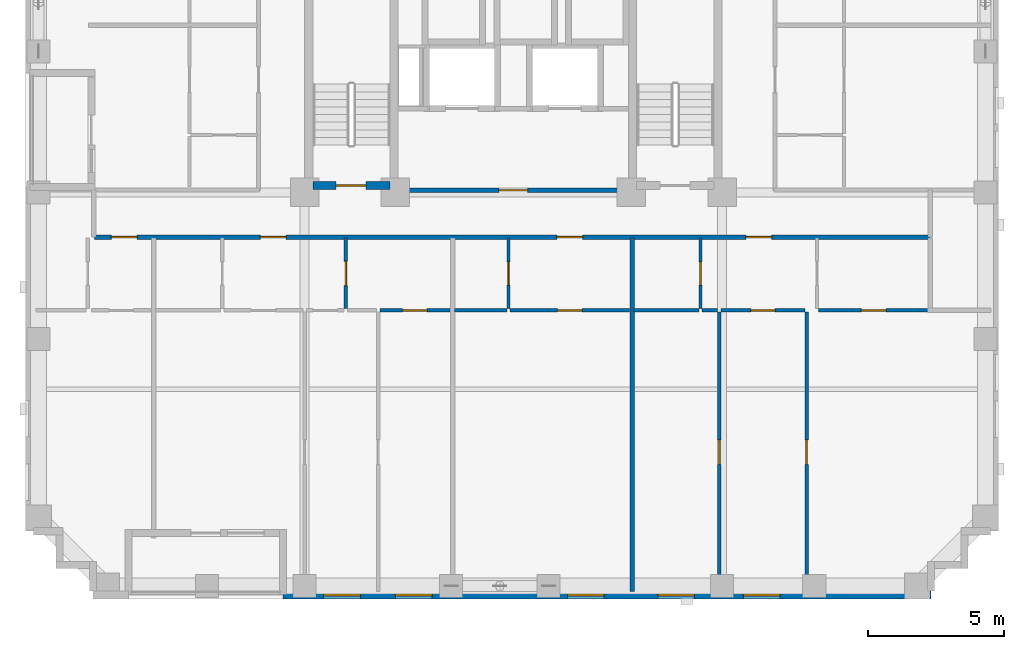
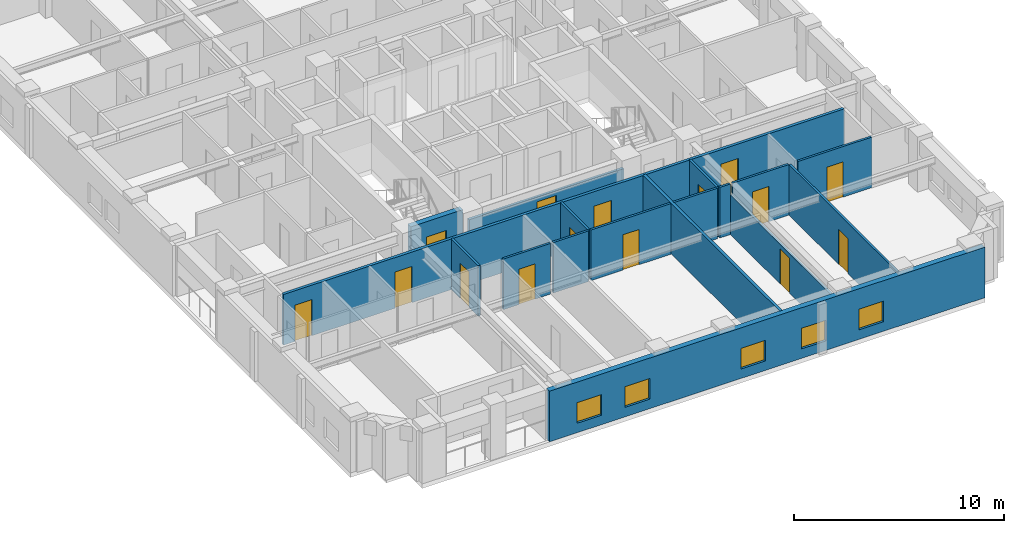
# One storey, part 3 of 12: 17 walls, 15 doors, 5 windows, 20 openings.
"""IFC4 building model written with IfcOpenShell, lengths in metres."""

import ifcopenshell
import ifcopenshell.guid

model = None  # the IFC model being written
_history = None  # IfcOwnerHistory: only IFC2X3 demands one
_inside = {}  # id of a spatial element -> (the spatial element, [elements in it])
_under = {}  # id of a project, library or spatial element -> (it, [spatial elements below it])
_declared = {}  # id of a project -> (the project, [libraries it declares])
_typed = {}  # id of a type object -> (the type object, [elements of that type])
_made_of = {}  # id of a material, layer set ... -> (it, [elements and type objects made of it])


def new_model(schema):
    """Start an empty IFC model of exactly this schema.

    Asked for "IFC4X3", IfcOpenShell would pick the latest addendum, in which some entities
    have other attributes; the version numbers below select the first issue.
    IFC2X3 requires an IfcOwnerHistory on every rooted entity: one is made here for all.
    """
    global model, _history
    if schema == "IFC4X3":
        model = ifcopenshell.file(schema_version=(4, 3, 0, 0))
    else:
        model = ifcopenshell.file(schema=schema)
    _inside.clear()
    _under.clear()
    _declared.clear()
    _typed.clear()
    _made_of.clear()
    _history = None
    if model.schema == "IFC2X3":
        org = make("IfcOrganization", Name="unknown")
        user = make(
            "IfcPersonAndOrganization",
            ThePerson=make("IfcPerson", FamilyName="unknown"),
            TheOrganization=org,
        )
        app = make(
            "IfcApplication",
            ApplicationDeveloper=org,
            Version="unknown",
            ApplicationFullName="unknown",
            ApplicationIdentifier="unknown",
        )
        _history = make(
            "IfcOwnerHistory",
            OwningUser=user,
            OwningApplication=app,
            ChangeAction="ADDED",
            CreationDate=0,
        )
    return model


def make(cls, **values):
    """One entity of the class cls with the attributes given. An attribute that is None is left unset."""
    return model.create_entity(
        cls, **{name: value for name, value in values.items() if value is not None}
    )


def rooted(cls, **values):
    """An entity with a GlobalId (a new one), such as an element, a storey or a relation."""
    return make(cls, GlobalId=ifcopenshell.guid.new(), OwnerHistory=_history, **values)


def si_unit(unit_type, name, prefix=None):
    """IfcSIUnit, for example si_unit("LENGTHUNIT", "METRE", prefix="MILLI")."""
    return make("IfcSIUnit", UnitType=unit_type, Prefix=prefix, Name=name)


def derived_unit(unit_type, elements):
    """IfcDerivedUnit: a product of units, each with its exponent."""
    return make(
        "IfcDerivedUnit",
        Elements=[
            make("IfcDerivedUnitElement", Unit=unit, Exponent=power)
            for unit, power in elements
        ],
        UnitType=unit_type,
    )


def assignment(units):
    """IfcUnitAssignment: the units of a project."""
    return None if units is None else make("IfcUnitAssignment", Units=units)


def point(xyz):
    """IfcCartesianPoint."""
    return None if xyz is None else make("IfcCartesianPoint", Coordinates=xyz)


def direction(xyz):
    """IfcDirection."""
    return None if xyz is None else make("IfcDirection", DirectionRatios=xyz)


def frame(location, z_axis=None, x_axis=None):
    """IfcAxis2Placement3D, a coordinate frame: its origin and axes. An axis left out is left unset."""
    return make(
        "IfcAxis2Placement3D",
        Location=point(location),
        Axis=direction(z_axis),
        RefDirection=direction(x_axis),
    )


def frame_2d(location, x_axis=None):
    """IfcAxis2Placement2D, a coordinate frame in the plane: its origin and x axis."""
    return make(
        "IfcAxis2Placement2D", Location=point(location), RefDirection=direction(x_axis)
    )


def origin():
    """The frame at (0, 0, 0) with its axes left unset."""
    return frame((0.0, 0.0, 0.0))


def place(relative_to, where):
    """IfcLocalPlacement: puts the frame where relative to a parent placement (None: the world)."""
    return make(
        "IfcLocalPlacement", PlacementRelTo=relative_to, RelativePlacement=where
    )


def context(
    kind, dimensions, precision=None, world=None, true_north=None, identifier=None
):
    """IfcGeometricRepresentationContext, for example the 3D "Model" context."""
    return make(
        "IfcGeometricRepresentationContext",
        ContextIdentifier=identifier,
        ContextType=kind,
        CoordinateSpaceDimension=dimensions,
        Precision=precision,
        WorldCoordinateSystem=world,
        TrueNorth=true_north,
    )


def subcontext(parent, identifier, kind, view, scale=None):
    """IfcGeometricRepresentationSubContext, for example "Body" below "Model"."""
    return make(
        "IfcGeometricRepresentationSubContext",
        ContextIdentifier=identifier,
        ContextType=kind,
        ParentContext=parent,
        TargetScale=scale,
        TargetView=view,
    )


def project(units=None, contexts=None):
    """IfcProject with its units and contexts."""
    return rooted(
        "IfcProject",
        Name="project",
        RepresentationContexts=contexts,
        UnitsInContext=assignment(units),
    )


def spatial(cls, under=None, at=None, **own):
    """A site, building, storey or space (cls), placed at a placement, below another one or the project."""
    s = rooted(cls, ObjectPlacement=at, **own)
    if under is not None:
        _under.setdefault(under.id(), (under, []))[1].append(s)
    return s


def profile(cls, at=None, kind="AREA", **sizes):
    """A parametric profile (cls). Its sizes go by their IFC names, for example OverallWidth=200.0."""
    return make(cls, ProfileType=kind, Position=at, **sizes)


def rectangle(**sizes):
    """IfcRectangleProfileDef."""
    return profile("IfcRectangleProfileDef", **sizes)


def extrude(swept, where, along, depth):
    """IfcExtrudedAreaSolid: the profile swept, set in the frame where, extruded along a direction by depth."""
    return make(
        "IfcExtrudedAreaSolid",
        SweptArea=swept,
        Position=where,
        ExtrudedDirection=direction(along),
        Depth=depth,
    )


def shape(context_of_items, identifier, shape_type, items):
    """IfcShapeRepresentation: the items that make up one representation, for example the "Body"."""
    return make(
        "IfcShapeRepresentation",
        ContextOfItems=context_of_items,
        RepresentationIdentifier=identifier,
        RepresentationType=shape_type,
        Items=items,
    )


def material(Name=None, Category=None):
    """IfcMaterial."""
    return make("IfcMaterial", Name=Name, Category=Category)


def layer(
    of_material, thickness, ventilated=None, Name=None, Category=None, Priority=None
):
    """IfcMaterialLayer: one layer of a wall or slab, of a material (None: an air gap)."""
    return make(
        "IfcMaterialLayer",
        Material=of_material,
        LayerThickness=thickness,
        IsVentilated=ventilated,
        Name=Name,
        Category=Category,
        Priority=Priority,
    )


def layer_set(layers, Name=None):
    """IfcMaterialLayerSet."""
    return make("IfcMaterialLayerSet", MaterialLayers=layers, LayerSetName=Name)


def made_of(thing, what):
    """Note that an element or type object is made of a material, layer set ...; save() writes the relation."""
    if what is not None:
        _made_of.setdefault(what.id(), (what, []))[1].append(thing)
    return thing


def type_object(cls, material=None, **own):
    """A type object (cls), such as IfcWallType, which elements share."""
    return made_of(rooted(cls, **own), material)


def element(
    cls,
    number,
    at=None,
    inside=None,
    cuts=None,
    type_object=None,
    material=None,
    context=None,
    identifier="Body",
    shape_type=None,
    held_by="IfcProductDefinitionShape",
    body=None,
    shapes=None,
    **own,
):
    """One element of the class cls, such as IfcWall. Its Tag is "e" and its number.

    at: its placement. inside: the storey or other place that contains it. cuts: it is an
    opening in that element (IfcRelVoidsElement). A single representation is given by context,
    identifier, shape_type and body (its items); several are given by shapes. held_by: the class
    of the entity that holds the representations. save() writes the other relations.
    """
    e = rooted(cls, Tag="e%d" % number, ObjectPlacement=at, **own)
    if body is not None:
        shapes = [shape(context, identifier, shape_type, body)]
    if shapes is not None:
        e.Representation = make(held_by, Representations=shapes)
    if inside is not None:
        _inside.setdefault(inside.id(), (inside, []))[1].append(e)
    if cuts is not None:
        rooted(
            "IfcRelVoidsElement", RelatingBuildingElement=cuts, RelatedOpeningElement=e
        )
    if type_object is not None:
        _typed.setdefault(type_object.id(), (type_object, []))[1].append(e)
    return made_of(e, material)


def fill(opening, filler):
    """IfcRelFillsElement: the door or window that sits in an opening."""
    return rooted(
        "IfcRelFillsElement",
        RelatingOpeningElement=opening,
        RelatedBuildingElement=filler,
    )


def aggregate(whole, parts):
    """IfcRelAggregates: a whole, such as a stair, and the parts it consists of."""
    return rooted("IfcRelAggregates", RelatingObject=whole, RelatedObjects=parts)


def save(model, path):
    """Write the relations noted so far, then the file.

    IfcRelAggregates (storeys below a building ...), IfcRelContainedInSpatialStructure (elements
    in a storey), IfcRelDefinesByType, IfcRelAssociatesMaterial and IfcRelDeclares: one each for
    every whole, place, type object, material and project.
    """
    for whole, parts in _under.values():
        aggregate(whole, parts)
    for where, things in _inside.values():
        rooted(
            "IfcRelContainedInSpatialStructure",
            RelatedElements=things,
            RelatingStructure=where,
        )
    for kind, things in _typed.values():
        rooted("IfcRelDefinesByType", RelatedObjects=things, RelatingType=kind)
    for what, things in _made_of.values():
        rooted("IfcRelAssociatesMaterial", RelatedObjects=things, RelatingMaterial=what)
    for by, libraries in _declared.values():
        rooted("IfcRelDeclares", RelatingContext=by, RelatedDefinitions=libraries)
    model.write(path)


model = new_model("IFC4")

# Units and contexts
model_context = context("Model", 3, precision=1e-05, world=origin(), true_north=direction((0.0, 1.0)))
body_context = subcontext(model_context, "Body", "Model", "MODEL_VIEW")
ifc_project = project(units=[si_unit("LENGTHUNIT", "METRE"), si_unit("AREAUNIT", "SQUARE_METRE"), si_unit("VOLUMEUNIT", "CUBIC_METRE"), si_unit("PLANEANGLEUNIT", "RADIAN"), si_unit("MASSUNIT", "GRAM", prefix="KILO"), derived_unit("THERMALTRANSMITTANCEUNIT", [(si_unit("MASSUNIT", "GRAM", prefix="KILO"), 1), (si_unit("TIMEUNIT", "SECOND"), -3), (si_unit("THERMODYNAMICTEMPERATUREUNIT", "KELVIN"), -1)])], contexts=[model_context])

# Site, building, storey
site_placement = place(None, origin())
site = spatial("IfcSite", under=ifc_project, at=site_placement, CompositionType="ELEMENT")
building_placement = place(site_placement, origin())
building = spatial("IfcBuilding", under=site, at=building_placement, Name="Korrvale Station Residences", CompositionType="ELEMENT")
storey_placement = place(building_placement, frame((0.0, 0.0, 94.300048828125)))
storey = spatial("IfcBuildingStorey", under=building, at=storey_placement, Name="L26", CompositionType="ELEMENT", Elevation=94.300048828125)

# Wall, opening, door
ifc_material_1 = material(Name="Concrete C60/75", Category="concrete")
ifc_layer_1 = layer(ifc_material_1, 0.300048828125, Name="Concrete C60/75")
ifc_layer_set_1 = layer_set([ifc_layer_1], Name="Concrete C60/75")
wall_type_1 = type_object("IfcWallType", Name="WAL-CORE-300-C60", PredefinedType="SHEAR", material=ifc_layer_set_1)
wall_1_placement = place(storey_placement, frame((18.10009765625, 15.25, 0.0), z_axis=(0.0, 0.0, 1.0), x_axis=(1.0, 0.0, 0.0)))
wall_1 = element("IfcWall", 1, at=wall_1_placement, inside=storey, type_object=wall_type_1, Name="L26 ST-1 Core Shear Wall South", PredefinedType="SHEAR", context=body_context, shape_type="SweptSolid", body=[
    extrude(rectangle(XDim=2.849853515625, YDim=0.300048828125, at=frame_2d((1.4248046875, 0.0))), origin(), (0.0, 0.0, 1.0), 2.93994140625),
])
opening_1_placement = place(wall_1_placement, frame((0.860107421875, 0.0, 0.0)))
opening_1 = element("IfcOpeningElement", 2, at=opening_1_placement, cuts=wall_1, Name="Opening SD-1100", PredefinedType="OPENING", context=body_context, shape_type="SweptSolid", body=[
    extrude(rectangle(XDim=1.10009765625, YDim=2.050048828125, at=frame_2d((0.550048828125, 1.02490234375))), frame((0.0, 0.16015625, 0.0), z_axis=(0.0, -1.0, 0.0), x_axis=(1.0, 0.0, 0.0)), (0.0, 0.0, 1.0), 0.320068359375),
])
ifc_material_2 = material(Name="Hollow-metal fire-rated stair door with closer", Category="steel")
door_type_1 = type_object("IfcDoorType", Name="DR-STAIR-1100", OperationType="NOTDEFINED", PredefinedType="DOOR", material=ifc_material_2)
door_1_placement = place(opening_1_placement, origin())
door_1 = element("IfcDoor", 3, at=door_1_placement, inside=storey, type_object=door_type_1, Name="L26 ST-1 Exit Stair Door", OperationType="SINGLE_SWING_LEFT", OverallHeight=2.050048828125, OverallWidth=1.10009765625, PredefinedType="DOOR", context=body_context, shape_type="SweptSolid", body=[
    extrude(rectangle(XDim=1.10009765625, YDim=2.050048828125, at=frame_2d((0.550048828125, 1.02490234375))), frame((0.0, 0.02490234375, 0.0), z_axis=(0.0, -1.0, 0.0), x_axis=(1.0, 0.0, 0.0)), (0.0, 0.0, 1.0), 0.050048828125),
])
fill(opening_1, door_1)

# Wall, openings, windows
ifc_material_3 = material(Name="Precast concrete C45/55", Category="concrete")
ifc_layer_2 = layer(ifc_material_3, 0.300048828125, Name="Precast concrete C45/55")
ifc_layer_set_2 = layer_set([ifc_layer_2], Name="Precast concrete C45/55")
wall_type_2 = type_object("IfcWallType", Name="WAL-EXT-PC300", PredefinedType="SOLIDWALL", material=ifc_layer_set_2)
wall_2_placement = place(storey_placement, frame((40.89990234375, 0.14990234375, 0.0), z_axis=(0.0, 0.0, 1.0), x_axis=(-1.0, 0.0, 0.0)))
wall_2 = element("IfcWall", 4, at=wall_2_placement, inside=storey, type_object=wall_type_2, Name="L26 South Exterior Precast Wall 1", PredefinedType="SOLIDWALL", context=body_context, shape_type="SweptSolid", body=[
    extrude(rectangle(XDim=23.89990234375, YDim=0.300048828125, at=frame_2d((11.949951171875, 0.0))), origin(), (0.0, 0.0, 1.0), 2.93994140625),
])
opening_2_placement = place(wall_2_placement, frame((21.044921875, 0.0, 0.550048828125)))
opening_2 = element("IfcOpeningElement", 5, at=opening_2_placement, cuts=wall_2, Name="Opening W-10", PredefinedType="OPENING", context=body_context, shape_type="SweptSolid", body=[
    extrude(rectangle(XDim=1.35009765625, YDim=1.199951171875, at=frame_2d((0.675048828125, 0.60009765625))), frame((0.0, 0.16015625, 0.0), z_axis=(0.0, -1.0, 0.0), x_axis=(1.0, 0.0, 0.0)), (0.0, 0.0, 1.0), 0.320068359375),
])
opening_3_placement = place(wall_2_placement, frame((18.39990234375, 0.0, 0.550048828125)))
opening_3 = element("IfcOpeningElement", 6, at=opening_3_placement, cuts=wall_2, Name="Opening W-10", PredefinedType="OPENING", context=body_context, shape_type="SweptSolid", body=[
    extrude(rectangle(XDim=1.35009765625, YDim=1.199951171875, at=frame_2d((0.675048828125, 0.60009765625))), frame((0.0, 0.16015625, 0.0), z_axis=(0.0, -1.0, 0.0), x_axis=(1.0, 0.0, 0.0)), (0.0, 0.0, 1.0), 0.320068359375),
])
opening_4_placement = place(wall_2_placement, frame((12.050048828125, 0.0, 0.550048828125)))
opening_4 = element("IfcOpeningElement", 7, at=opening_4_placement, cuts=wall_2, Name="Opening W-10", PredefinedType="OPENING", context=body_context, shape_type="SweptSolid", body=[
    extrude(rectangle(XDim=1.35009765625, YDim=1.199951171875, at=frame_2d((0.675048828125, 0.60009765625))), frame((0.0, 0.16015625, 0.0), z_axis=(0.0, -1.0, 0.0), x_axis=(1.0, 0.0, 0.0)), (0.0, 0.0, 1.0), 0.320068359375),
])
opening_5_placement = place(wall_2_placement, frame((8.719970703125, 0.0, 0.550048828125)))
opening_5 = element("IfcOpeningElement", 8, at=opening_5_placement, cuts=wall_2, Name="Opening W-10", PredefinedType="OPENING", context=body_context, shape_type="SweptSolid", body=[
    extrude(rectangle(XDim=1.35009765625, YDim=1.199951171875, at=frame_2d((0.675048828125, 0.60009765625))), frame((0.0, 0.16015625, 0.0), z_axis=(0.0, -1.0, 0.0), x_axis=(1.0, 0.0, 0.0)), (0.0, 0.0, 1.0), 0.320068359375),
])
opening_6_placement = place(wall_2_placement, frame((5.56298828125, 0.0, 0.550048828125)))
opening_6 = element("IfcOpeningElement", 9, at=opening_6_placement, cuts=wall_2, Name="Opening W-10", PredefinedType="OPENING", context=body_context, shape_type="SweptSolid", body=[
    extrude(rectangle(XDim=1.35009765625, YDim=1.199951171875, at=frame_2d((0.675048828125, 0.60009765625))), frame((0.0, 0.16015625, 0.0), z_axis=(0.0, -1.0, 0.0), x_axis=(1.0, 0.0, 0.0)), (0.0, 0.0, 1.0), 0.320068359375),
])
ifc_material_4 = material(Name="Thermally broken aluminium frame with triple low-e glazing", Category="aluminium")
window_type = type_object("IfcWindowType", Name="WIN-W10", PartitioningType="SINGLE_PANEL", PredefinedType="WINDOW", material=ifc_material_4)
window_1_placement = place(opening_2_placement, origin())
window_1 = element("IfcWindow", 10, at=window_1_placement, inside=storey, type_object=window_type, Name="L26 Punched Window 04", OverallHeight=1.199951171875, OverallWidth=1.35009765625, PartitioningType="SINGLE_PANEL", PredefinedType="WINDOW", context=body_context, shape_type="SweptSolid", body=[
    extrude(rectangle(XDim=1.35009765625, YDim=1.199951171875, at=frame_2d((0.675048828125, 0.60009765625))), frame((0.0, 0.030029296875, 0.0), z_axis=(0.0, -1.0, 0.0), x_axis=(1.0, 0.0, 0.0)), (0.0, 0.0, 1.0), 0.06005859375),
])
fill(opening_2, window_1)
window_2_placement = place(opening_3_placement, origin())
window_2 = element("IfcWindow", 11, at=window_2_placement, inside=storey, type_object=window_type, Name="L26 Punched Window 05", OverallHeight=1.199951171875, OverallWidth=1.35009765625, PartitioningType="SINGLE_PANEL", PredefinedType="WINDOW", context=body_context, shape_type="SweptSolid", body=[
    extrude(rectangle(XDim=1.35009765625, YDim=1.199951171875, at=frame_2d((0.675048828125, 0.60009765625))), frame((0.0, 0.030029296875, 0.0), z_axis=(0.0, -1.0, 0.0), x_axis=(1.0, 0.0, 0.0)), (0.0, 0.0, 1.0), 0.06005859375),
])
fill(opening_3, window_2)
window_3_placement = place(opening_4_placement, origin())
window_3 = element("IfcWindow", 12, at=window_3_placement, inside=storey, type_object=window_type, Name="L26 Punched Window 06", OverallHeight=1.199951171875, OverallWidth=1.35009765625, PartitioningType="SINGLE_PANEL", PredefinedType="WINDOW", context=body_context, shape_type="SweptSolid", body=[
    extrude(rectangle(XDim=1.35009765625, YDim=1.199951171875, at=frame_2d((0.675048828125, 0.60009765625))), frame((0.0, 0.030029296875, 0.0), z_axis=(0.0, -1.0, 0.0), x_axis=(1.0, 0.0, 0.0)), (0.0, 0.0, 1.0), 0.06005859375),
])
fill(opening_4, window_3)
window_4_placement = place(opening_5_placement, origin())
window_4 = element("IfcWindow", 13, at=window_4_placement, inside=storey, type_object=window_type, Name="L26 Punched Window 07", OverallHeight=1.199951171875, OverallWidth=1.35009765625, PartitioningType="SINGLE_PANEL", PredefinedType="WINDOW", context=body_context, shape_type="SweptSolid", body=[
    extrude(rectangle(XDim=1.35009765625, YDim=1.199951171875, at=frame_2d((0.675048828125, 0.60009765625))), frame((0.0, 0.030029296875, 0.0), z_axis=(0.0, -1.0, 0.0), x_axis=(1.0, 0.0, 0.0)), (0.0, 0.0, 1.0), 0.06005859375),
])
fill(opening_5, window_4)
window_5_placement = place(opening_6_placement, origin())
window_5 = element("IfcWindow", 14, at=window_5_placement, inside=storey, type_object=window_type, Name="L26 Punched Window 08", OverallHeight=1.199951171875, OverallWidth=1.35009765625, PartitioningType="SINGLE_PANEL", PredefinedType="WINDOW", context=body_context, shape_type="SweptSolid", body=[
    extrude(rectangle(XDim=1.35009765625, YDim=1.199951171875, at=frame_2d((0.675048828125, 0.60009765625))), frame((0.0, 0.030029296875, 0.0), z_axis=(0.0, -1.0, 0.0), x_axis=(1.0, 0.0, 0.0)), (0.0, 0.0, 1.0), 0.06005859375),
])
fill(opening_6, window_5)

# Wall, opening, door
ifc_material_5 = material(Name="Acoustic steel-stud gypsum board partition", Category="steel")
ifc_layer_3 = layer(ifc_material_5, 0.1201171875, Name="Acoustic steel-stud gypsum board partition")
ifc_layer_set_3 = layer_set([ifc_layer_3], Name="Acoustic steel-stud gypsum board partition")
wall_type_3 = type_object("IfcWallType", Name="WAL-PART-125", PredefinedType="PARTITIONING", material=ifc_layer_set_3)
wall_3_placement = place(storey_placement, frame((19.320068359375, 10.7099609375, 0.0), z_axis=(0.0, 0.0, 1.0), x_axis=(0.0, 1.0, 0.0)))
wall_3 = element("IfcWall", 15, at=wall_3_placement, inside=storey, type_object=wall_type_3, Name="L26 Suite Partition U02-V12", PredefinedType="PARTITIONING", context=body_context, shape_type="SweptSolid", body=[
    extrude(rectangle(XDim=2.60009765625, YDim=0.1201171875, at=frame_2d((1.300048828125, 0.0))), origin(), (0.0, 0.0, 1.0), 2.93994140625),
])
opening_7_placement = place(wall_3_placement, frame((0.85009765625, 0.0, 0.0)))
opening_7 = element("IfcOpeningElement", 16, at=opening_7_placement, cuts=wall_3, Name="Opening DI-900", PredefinedType="OPENING", context=body_context, shape_type="SweptSolid", body=[
    extrude(rectangle(XDim=0.89990234375, YDim=2.050048828125, at=frame_2d((0.449951171875, 1.02490234375))), frame((0.0, 0.070068359375, 0.0), z_axis=(0.0, -1.0, 0.0), x_axis=(1.0, 0.0, 0.0)), (0.0, 0.0, 1.0), 0.14013671875),
])
ifc_material_6 = material(Name="Painted solid-core timber interior room door", Category="wood")
door_type_2 = type_object("IfcDoorType", Name="DR-INT-900", OperationType="NOTDEFINED", PredefinedType="DOOR", material=ifc_material_6)
door_2_placement = place(opening_7_placement, origin())
door_2 = element("IfcDoor", 17, at=door_2_placement, inside=storey, type_object=door_type_2, Name="L26 Apartment 2BR L26-U02 Kitchen Door", OperationType="SINGLE_SWING_LEFT", OverallHeight=2.050048828125, OverallWidth=0.89990234375, PredefinedType="DOOR", context=body_context, shape_type="SweptSolid", body=[
    extrude(rectangle(XDim=0.89990234375, YDim=2.050048828125, at=frame_2d((0.449951171875, 1.02490234375))), frame((0.0, 0.02490234375, 0.0), z_axis=(0.0, -1.0, 0.0), x_axis=(1.0, 0.0, 0.0)), (0.0, 0.0, 1.0), 0.050048828125),
])
fill(opening_7, door_2)

wall_4_placement = place(storey_placement, frame((20.572998046875, 10.64990234375, 0.0), z_axis=(0.0, 0.0, 1.0), x_axis=(1.0, 0.0, 0.0)))
wall_4 = element("IfcWall", 18, at=wall_4_placement, inside=storey, type_object=wall_type_3, Name="L26 Suite Partition U02-H25", PredefinedType="PARTITIONING", context=body_context, shape_type="SweptSolid", body=[
    extrude(rectangle(XDim=2.592041015625, YDim=0.1201171875, at=frame_2d((1.2958984375, 0.0))), origin(), (0.0, 0.0, 1.0), 2.93994140625),
])
opening_8_placement = place(wall_4_placement, frame((0.845947265625, 0.0, 0.0)))
opening_8 = element("IfcOpeningElement", 19, at=opening_8_placement, cuts=wall_4, Name="Opening DI-900", PredefinedType="OPENING", context=body_context, shape_type="SweptSolid", body=[
    extrude(rectangle(XDim=0.89990234375, YDim=2.050048828125, at=frame_2d((0.449951171875, 1.02490234375))), frame((0.0, 0.070068359375, 0.0), z_axis=(0.0, -1.0, 0.0), x_axis=(1.0, 0.0, 0.0)), (0.0, 0.0, 1.0), 0.14013671875),
])
door_3_placement = place(opening_8_placement, origin())
door_3 = element("IfcDoor", 20, at=door_3_placement, inside=storey, type_object=door_type_2, Name="L26 Apartment 2BR L26-U02 Home Study Room Door", OperationType="SINGLE_SWING_RIGHT", OverallHeight=2.050048828125, OverallWidth=0.89990234375, PredefinedType="DOOR", context=body_context, shape_type="SweptSolid", body=[
    extrude(rectangle(XDim=0.89990234375, YDim=2.050048828125, at=frame_2d((0.449951171875, 1.02490234375))), frame((0.0, 0.02490234375, 0.0), z_axis=(0.0, -1.0, 0.0), x_axis=(1.0, 0.0, 0.0)), (0.0, 0.0, 1.0), 0.050048828125),
])
fill(opening_8, door_3)

wall_5_placement = place(storey_placement, frame((25.322021484375, 10.7099609375, 0.0), z_axis=(0.0, 0.0, 1.0), x_axis=(0.0, 1.0, 0.0)))
wall_5 = element("IfcWall", 21, at=wall_5_placement, inside=storey, type_object=wall_type_3, Name="L26 Suite Partition U03-V01", PredefinedType="PARTITIONING", context=body_context, shape_type="SweptSolid", body=[
    extrude(rectangle(XDim=2.60009765625, YDim=0.1201171875, at=frame_2d((1.300048828125, 0.0))), origin(), (0.0, 0.0, 1.0), 2.93994140625),
])
opening_9_placement = place(wall_5_placement, frame((0.8701171875, 0.0, 0.0)))
opening_9 = element("IfcOpeningElement", 22, at=opening_9_placement, cuts=wall_5, Name="Opening DB-860", PredefinedType="OPENING", context=body_context, shape_type="SweptSolid", body=[
    extrude(rectangle(XDim=0.860107421875, YDim=2.050048828125, at=frame_2d((0.43017578125, 1.02490234375))), frame((0.0, 0.070068359375, 0.0), z_axis=(0.0, -1.0, 0.0), x_axis=(1.0, 0.0, 0.0)), (0.0, 0.0, 1.0), 0.14013671875),
])
ifc_material_7 = material(Name="Moisture-resistant solid-core bathroom door", Category="timber")
door_type_3 = type_object("IfcDoorType", Name="DR-BATH-860", OperationType="NOTDEFINED", PredefinedType="DOOR", material=ifc_material_7)
door_4_placement = place(opening_9_placement, origin())
door_4 = element("IfcDoor", 23, at=door_4_placement, inside=storey, type_object=door_type_3, Name="L26 Studio Apartment L26-U03 Bathroom Door", OperationType="SINGLE_SWING_LEFT", OverallHeight=2.050048828125, OverallWidth=0.860107421875, PredefinedType="DOOR", context=body_context, shape_type="SweptSolid", body=[
    extrude(rectangle(XDim=0.860107421875, YDim=2.050048828125, at=frame_2d((0.43017578125, 1.02490234375))), frame((0.0, 0.02490234375, 0.0), z_axis=(0.0, -1.0, 0.0), x_axis=(1.0, 0.0, 0.0)), (0.0, 0.0, 1.0), 0.050048828125),
])
fill(opening_9, door_4)

# Wall
wall_6_placement = place(storey_placement, frame((23.324951171875, 10.64990234375, 0.0), z_axis=(0.0, 0.0, 1.0), x_axis=(1.0, 0.0, 0.0)))
element("IfcWall", 24, at=wall_6_placement, inside=storey, type_object=wall_type_3, Name="L26 Suite Partition U03-H02", PredefinedType="PARTITIONING", context=body_context, shape_type="SweptSolid", body=[
    extrude(rectangle(XDim=1.93701171875, YDim=0.1201171875, at=frame_2d((0.968505859375, 0.0))), origin(), (0.0, 0.0, 1.0), 2.93994140625),
])

# Wall, opening, door
wall_7_placement = place(storey_placement, frame((25.382080078125, 10.64990234375, 0.0), z_axis=(0.0, 0.0, 1.0), x_axis=(1.0, 0.0, 0.0)))
wall_7 = element("IfcWall", 25, at=wall_7_placement, inside=storey, type_object=wall_type_3, Name="L26 Suite Partition U03-H12", PredefinedType="PARTITIONING", context=body_context, shape_type="SweptSolid", body=[
    extrude(rectangle(XDim=4.39794921875, YDim=0.1201171875, at=frame_2d((2.198974609375, 0.0))), origin(), (0.0, 0.0, 1.0), 2.93994140625),
])
opening_10_placement = place(wall_7_placement, frame((1.7490234375, 0.0, 0.0)))
opening_10 = element("IfcOpeningElement", 26, at=opening_10_placement, cuts=wall_7, Name="Opening DI-900", PredefinedType="OPENING", context=body_context, shape_type="SweptSolid", body=[
    extrude(rectangle(XDim=0.89990234375, YDim=2.050048828125, at=frame_2d((0.449951171875, 1.02490234375))), frame((0.0, 0.070068359375, 0.0), z_axis=(0.0, -1.0, 0.0), x_axis=(1.0, 0.0, 0.0)), (0.0, 0.0, 1.0), 0.14013671875),
])
door_5_placement = place(opening_10_placement, origin())
door_5 = element("IfcDoor", 27, at=door_5_placement, inside=storey, type_object=door_type_2, Name="L26 Studio Apartment L26-U03 Kitchen Door", OperationType="SINGLE_SWING_RIGHT", OverallHeight=2.050048828125, OverallWidth=0.89990234375, PredefinedType="DOOR", context=body_context, shape_type="SweptSolid", body=[
    extrude(rectangle(XDim=0.89990234375, YDim=2.050048828125, at=frame_2d((0.449951171875, 1.02490234375))), frame((0.0, 0.02490234375, 0.0), z_axis=(0.0, -1.0, 0.0), x_axis=(1.0, 0.0, 0.0)), (0.0, 0.0, 1.0), 0.050048828125),
])
fill(opening_10, door_5)

wall_8_placement = place(storey_placement, frame((32.39990234375, 10.7099609375, 0.0), z_axis=(0.0, 0.0, 1.0), x_axis=(0.0, 1.0, 0.0)))
wall_8 = element("IfcWall", 28, at=wall_8_placement, inside=storey, type_object=wall_type_3, Name="L26 Suite Partition U04-V01", PredefinedType="PARTITIONING", context=body_context, shape_type="SweptSolid", body=[
    extrude(rectangle(XDim=2.60009765625, YDim=0.1201171875, at=frame_2d((1.300048828125, 0.0))), origin(), (0.0, 0.0, 1.0), 2.93994140625),
])
opening_11_placement = place(wall_8_placement, frame((0.8701171875, 0.0, 0.0)))
opening_11 = element("IfcOpeningElement", 29, at=opening_11_placement, cuts=wall_8, Name="Opening DB-860", PredefinedType="OPENING", context=body_context, shape_type="SweptSolid", body=[
    extrude(rectangle(XDim=0.860107421875, YDim=2.050048828125, at=frame_2d((0.43017578125, 1.02490234375))), frame((0.0, 0.070068359375, 0.0), z_axis=(0.0, -1.0, 0.0), x_axis=(1.0, 0.0, 0.0)), (0.0, 0.0, 1.0), 0.14013671875),
])
door_6_placement = place(opening_11_placement, origin())
door_6 = element("IfcDoor", 30, at=door_6_placement, inside=storey, type_object=door_type_3, Name="L26 Studio Apartment L26-U04 Bathroom Door", OperationType="SINGLE_SWING_LEFT", OverallHeight=2.050048828125, OverallWidth=0.860107421875, PredefinedType="DOOR", context=body_context, shape_type="SweptSolid", body=[
    extrude(rectangle(XDim=0.860107421875, YDim=2.050048828125, at=frame_2d((0.43017578125, 1.02490234375))), frame((0.0, 0.02490234375, 0.0), z_axis=(0.0, -1.0, 0.0), x_axis=(1.0, 0.0, 0.0)), (0.0, 0.0, 1.0), 0.050048828125),
])
fill(opening_11, door_6)

# Walls
wall_9_placement = place(storey_placement, frame((29.93994140625, 10.64990234375, 0.0), z_axis=(0.0, 0.0, 1.0), x_axis=(1.0, 0.0, 0.0)))
element("IfcWall", 31, at=wall_9_placement, inside=storey, type_object=wall_type_3, Name="L26 Suite Partition U04-H03", PredefinedType="PARTITIONING", context=body_context, shape_type="SweptSolid", body=[
    extrude(rectangle(XDim=2.400146484375, YDim=0.1201171875, at=frame_2d((1.2001953125, 0.0))), origin(), (0.0, 0.0, 1.0), 2.93994140625),
])
wall_10_placement = place(storey_placement, frame((32.4599609375, 10.64990234375, 0.0), z_axis=(0.0, 0.0, 1.0), x_axis=(1.0, 0.0, 0.0)))
element("IfcWall", 32, at=wall_10_placement, inside=storey, type_object=wall_type_3, Name="L26 Suite Partition U04-H13", PredefinedType="PARTITIONING", context=body_context, shape_type="SweptSolid", body=[
    extrude(rectangle(XDim=0.580078125, YDim=0.1201171875, at=frame_2d((0.2900390625, 0.0))), origin(), (0.0, 0.0, 1.0), 2.93994140625),
])

# Wall, opening, door
wall_11_placement = place(storey_placement, frame((33.159912109375, 10.64990234375, 0.0), z_axis=(0.0, 0.0, 1.0), x_axis=(1.0, 0.0, 0.0)))
wall_11 = element("IfcWall", 33, at=wall_11_placement, inside=storey, type_object=wall_type_3, Name="L26 Suite Partition U04-H14", PredefinedType="PARTITIONING", context=body_context, shape_type="SweptSolid", body=[
    extrude(rectangle(XDim=3.10009765625, YDim=0.1201171875, at=frame_2d((1.550048828125, 0.0))), origin(), (0.0, 0.0, 1.0), 2.93994140625),
])
opening_12_placement = place(wall_11_placement, frame((1.10009765625, 0.0, 0.0)))
opening_12 = element("IfcOpeningElement", 34, at=opening_12_placement, cuts=wall_11, Name="Opening DI-900", PredefinedType="OPENING", context=body_context, shape_type="SweptSolid", body=[
    extrude(rectangle(XDim=0.89990234375, YDim=2.050048828125, at=frame_2d((0.449951171875, 1.02490234375))), frame((0.0, 0.070068359375, 0.0), z_axis=(0.0, -1.0, 0.0), x_axis=(1.0, 0.0, 0.0)), (0.0, 0.0, 1.0), 0.14013671875),
])
door_7_placement = place(opening_12_placement, origin())
door_7 = element("IfcDoor", 35, at=door_7_placement, inside=storey, type_object=door_type_2, Name="L26 Studio Apartment L26-U04 Kitchen Door", OperationType="SINGLE_SWING_LEFT", OverallHeight=2.050048828125, OverallWidth=0.89990234375, PredefinedType="DOOR", context=body_context, shape_type="SweptSolid", body=[
    extrude(rectangle(XDim=0.89990234375, YDim=2.050048828125, at=frame_2d((0.449951171875, 1.02490234375))), frame((0.0, 0.02490234375, 0.0), z_axis=(0.0, -1.0, 0.0), x_axis=(1.0, 0.0, 0.0)), (0.0, 0.0, 1.0), 0.050048828125),
])
fill(opening_12, door_7)

wall_12_placement = place(storey_placement, frame((36.760009765625, 10.64990234375, 0.0), z_axis=(0.0, 0.0, 1.0), x_axis=(1.0, 0.0, 0.0)))
wall_12 = element("IfcWall", 36, at=wall_12_placement, inside=storey, type_object=wall_type_3, Name="L26 Suite Partition U04-H25", PredefinedType="PARTITIONING", context=body_context, shape_type="SweptSolid", body=[
    extrude(rectangle(XDim=4.06005859375, YDim=0.1201171875, at=frame_2d((2.030029296875, 0.0))), origin(), (0.0, 0.0, 1.0), 2.93994140625),
])
opening_13_placement = place(wall_12_placement, frame((1.580078125, 0.0, 0.0)))
opening_13 = element("IfcOpeningElement", 37, at=opening_13_placement, cuts=wall_12, Name="Opening DI-900", PredefinedType="OPENING", context=body_context, shape_type="SweptSolid", body=[
    extrude(rectangle(XDim=0.89990234375, YDim=2.050048828125, at=frame_2d((0.449951171875, 1.02490234375))), frame((0.0, 0.070068359375, 0.0), z_axis=(0.0, -1.0, 0.0), x_axis=(1.0, 0.0, 0.0)), (0.0, 0.0, 1.0), 0.14013671875),
])
door_8_placement = place(opening_13_placement, origin())
door_8 = element("IfcDoor", 38, at=door_8_placement, inside=storey, type_object=door_type_2, Name="L26 Studio Apartment L26-U04 Home Study Room Door", OperationType="SINGLE_SWING_RIGHT", OverallHeight=2.050048828125, OverallWidth=0.89990234375, PredefinedType="DOOR", context=body_context, shape_type="SweptSolid", body=[
    extrude(rectangle(XDim=0.89990234375, YDim=2.050048828125, at=frame_2d((0.449951171875, 1.02490234375))), frame((0.0, 0.02490234375, 0.0), z_axis=(0.0, -1.0, 0.0), x_axis=(1.0, 0.0, 0.0)), (0.0, 0.0, 1.0), 0.050048828125),
])
fill(opening_13, door_8)

wall_13_placement = place(storey_placement, frame((33.10009765625, 0.280029296875, 0.0), z_axis=(0.0, 0.0, 1.0), x_axis=(0.0, 1.0, 0.0)))
wall_13 = element("IfcWall", 39, at=wall_13_placement, inside=storey, type_object=wall_type_3, Name="L26 Suite Partition U04-V34", PredefinedType="PARTITIONING", context=body_context, shape_type="SweptSolid", body=[
    extrude(rectangle(XDim=10.31005859375, YDim=0.1201171875, at=frame_2d((5.155029296875, 0.0))), origin(), (0.0, 0.0, 1.0), 2.308837890625),
])
opening_14_placement = place(wall_13_placement, frame((4.68994140625, 0.0, 0.0)))
opening_14 = element("IfcOpeningElement", 40, at=opening_14_placement, cuts=wall_13, Name="Opening DI-900", PredefinedType="OPENING", context=body_context, shape_type="SweptSolid", body=[
    extrude(rectangle(XDim=0.89990234375, YDim=2.050048828125, at=frame_2d((0.449951171875, 1.02490234375))), frame((0.0, 0.070068359375, 0.0), z_axis=(0.0, -1.0, 0.0), x_axis=(1.0, 0.0, 0.0)), (0.0, 0.0, 1.0), 0.14013671875),
])
door_9_placement = place(opening_14_placement, origin())
door_9 = element("IfcDoor", 41, at=door_9_placement, inside=storey, type_object=door_type_2, Name="L26 Studio Apartment L26-U04 Formal Dining Room Door", OperationType="SINGLE_SWING_LEFT", OverallHeight=2.050048828125, OverallWidth=0.89990234375, PredefinedType="DOOR", context=body_context, shape_type="SweptSolid", body=[
    extrude(rectangle(XDim=0.89990234375, YDim=2.050048828125, at=frame_2d((0.449951171875, 1.02490234375))), frame((0.0, 0.02490234375, 0.0), z_axis=(0.0, -1.0, 0.0), x_axis=(1.0, 0.0, 0.0)), (0.0, 0.0, 1.0), 0.050048828125),
])
fill(opening_14, door_9)

wall_14_placement = place(storey_placement, frame((36.320068359375, 0.280029296875, 0.0), z_axis=(0.0, 0.0, 1.0), x_axis=(0.0, 1.0, 0.0)))
wall_14 = element("IfcWall", 42, at=wall_14_placement, inside=storey, type_object=wall_type_3, Name="L26 Suite Partition U04-V45", PredefinedType="PARTITIONING", context=body_context, shape_type="SweptSolid", body=[
    extrude(rectangle(XDim=10.31005859375, YDim=0.1201171875, at=frame_2d((5.155029296875, 0.0))), origin(), (0.0, 0.0, 1.0), 2.93994140625),
])
opening_15_placement = place(wall_14_placement, frame((4.68994140625, 0.0, 0.0)))
opening_15 = element("IfcOpeningElement", 43, at=opening_15_placement, cuts=wall_14, Name="Opening DI-900", PredefinedType="OPENING", context=body_context, shape_type="SweptSolid", body=[
    extrude(rectangle(XDim=0.89990234375, YDim=2.050048828125, at=frame_2d((0.449951171875, 1.02490234375))), frame((0.0, 0.070068359375, 0.0), z_axis=(0.0, -1.0, 0.0), x_axis=(1.0, 0.0, 0.0)), (0.0, 0.0, 1.0), 0.14013671875),
])
door_10_placement = place(opening_15_placement, origin())
door_10 = element("IfcDoor", 44, at=door_10_placement, inside=storey, type_object=door_type_2, Name="L26 Studio Apartment L26-U04 Formal Dining Room Door", OperationType="SINGLE_SWING_RIGHT", OverallHeight=2.050048828125, OverallWidth=0.89990234375, PredefinedType="DOOR", context=body_context, shape_type="SweptSolid", body=[
    extrude(rectangle(XDim=0.89990234375, YDim=2.050048828125, at=frame_2d((0.449951171875, 1.02490234375))), frame((0.0, 0.02490234375, 0.0), z_axis=(0.0, -1.0, 0.0), x_axis=(1.0, 0.0, 0.0)), (0.0, 0.0, 1.0), 0.050048828125),
])
fill(opening_15, door_10)

ifc_material_8 = material(Name="Fire-rated twin-stud gypsum and mineral wool shaftwall assembly", Category="gypsum")
ifc_layer_4 = layer(ifc_material_8, 0.159912109375, Name="Fire-rated twin-stud gypsum and mineral wool shaftwall assembly")
ifc_layer_set_4 = layer_set([ifc_layer_4], Name="Fire-rated twin-stud gypsum and mineral wool shaftwall assembly")
wall_type_4 = type_object("IfcWallType", Name="WAL-PART-200", PredefinedType="PARTITIONING", material=ifc_layer_set_4)
wall_15_placement = place(storey_placement, frame((21.25, 15.080078125, 0.0), z_axis=(0.0, 0.0, 1.0), x_axis=(1.0, 0.0, 0.0)))
wall_15 = element("IfcWall", 45, at=wall_15_placement, inside=storey, type_object=wall_type_4, Name="L26 Core Partition CW-FFL-S", PredefinedType="PARTITIONING", context=body_context, shape_type="SweptSolid", body=[
    extrude(rectangle(XDim=8.5, YDim=0.159912109375, at=frame_2d((4.25, 0.0))), origin(), (0.0, 0.0, 1.0), 2.308837890625),
])
opening_16_placement = place(wall_15_placement, frame((3.72509765625, 0.0, 0.0)))
opening_16 = element("IfcOpeningElement", 46, at=opening_16_placement, cuts=wall_15, Name="Opening FD-1050", PredefinedType="OPENING", context=body_context, shape_type="SweptSolid", body=[
    extrude(rectangle(XDim=1.050048828125, YDim=2.050048828125, at=frame_2d((0.52490234375, 1.02490234375))), frame((0.0, 0.08984375, 0.0), z_axis=(0.0, -1.0, 0.0), x_axis=(1.0, 0.0, 0.0)), (0.0, 0.0, 1.0), 0.179931640625),
])
ifc_material_9 = material(Name="Fire-rated mineral-core timber lobby door", Category="wood")
door_type_4 = type_object("IfcDoorType", Name="DR-CORE-1050", OperationType="NOTDEFINED", PredefinedType="DOOR", material=ifc_material_9)
door_11_placement = place(opening_16_placement, origin())
door_11 = element("IfcDoor", 47, at=door_11_placement, inside=storey, type_object=door_type_4, Name="L26 Firefighting Lobby Entry Door", OperationType="SINGLE_SWING_LEFT", OverallHeight=2.050048828125, OverallWidth=1.050048828125, PredefinedType="DOOR", context=body_context, shape_type="SweptSolid", body=[
    extrude(rectangle(XDim=1.050048828125, YDim=2.050048828125, at=frame_2d((0.52490234375, 1.02490234375))), frame((0.0, 0.02490234375, 0.0), z_axis=(0.0, -1.0, 0.0), x_axis=(1.0, 0.0, 0.0)), (0.0, 0.0, 1.0), 0.050048828125),
])
fill(opening_16, door_11)

# Wall
wall_16_placement = place(storey_placement, frame((29.8798828125, 0.280029296875, 0.0), z_axis=(0.0, 0.0, 1.0), x_axis=(0.0, 1.0, 0.0)))
element("IfcWall", 48, at=wall_16_placement, inside=storey, type_object=wall_type_4, Name="L26 Demising Wall U04-W", PredefinedType="PARTITIONING", context=body_context, shape_type="SweptSolid", body=[
    extrude(rectangle(XDim=13.030029296875, YDim=0.159912109375, at=frame_2d((6.51513671875, 0.0))), origin(), (0.0, 0.0, 1.0), 2.93994140625),
])

# Wall, openings, doors
wall_17_placement = place(storey_placement, frame((10.050048828125, 13.35009765625, 0.0), z_axis=(0.0, 0.0, 1.0), x_axis=(1.0, 0.0, 0.0)))
wall_17 = element("IfcWall", 49, at=wall_17_placement, inside=storey, type_object=wall_type_4, Name="L26 Rated Corridor Wall S", PredefinedType="PARTITIONING", context=body_context, shape_type="SweptSolid", body=[
    extrude(rectangle(XDim=30.800048828125, YDim=0.159912109375, at=frame_2d((15.39990234375, 0.0))), origin(), (0.0, 0.0, 1.0), 2.93994140625),
])
opening_17_placement = place(wall_17_placement, frame((0.6201171875, 0.0, 0.0)))
opening_17 = element("IfcOpeningElement", 50, at=opening_17_placement, cuts=wall_17, Name="Opening UD-950", PredefinedType="OPENING", context=body_context, shape_type="SweptSolid", body=[
    extrude(rectangle(XDim=0.949951171875, YDim=2.10009765625, at=frame_2d((0.47509765625, 1.050048828125))), frame((0.0, 0.08984375, 0.0), z_axis=(0.0, -1.0, 0.0), x_axis=(1.0, 0.0, 0.0)), (0.0, 0.0, 1.0), 0.179931640625),
])
opening_18_placement = place(wall_17_placement, frame((6.114990234375, 0.0, 0.0)))
opening_18 = element("IfcOpeningElement", 51, at=opening_18_placement, cuts=wall_17, Name="Opening UD-950", PredefinedType="OPENING", context=body_context, shape_type="SweptSolid", body=[
    extrude(rectangle(XDim=0.949951171875, YDim=2.10009765625, at=frame_2d((0.47509765625, 1.050048828125))), frame((0.0, 0.08984375, 0.0), z_axis=(0.0, -1.0, 0.0), x_axis=(1.0, 0.0, 0.0)), (0.0, 0.0, 1.0), 0.179931640625),
])
opening_19_placement = place(wall_17_placement, frame((17.055908203125, 0.0, 0.0)))
opening_19 = element("IfcOpeningElement", 52, at=opening_19_placement, cuts=wall_17, Name="Opening UD-950", PredefinedType="OPENING", context=body_context, shape_type="SweptSolid", body=[
    extrude(rectangle(XDim=0.949951171875, YDim=2.10009765625, at=frame_2d((0.47509765625, 1.050048828125))), frame((0.0, 0.08984375, 0.0), z_axis=(0.0, -1.0, 0.0), x_axis=(1.0, 0.0, 0.0)), (0.0, 0.0, 1.0), 0.179931640625),
])
opening_20_placement = place(wall_17_placement, frame((24.02490234375, 0.0, 0.0)))
opening_20 = element("IfcOpeningElement", 53, at=opening_20_placement, cuts=wall_17, Name="Opening UD-950", PredefinedType="OPENING", context=body_context, shape_type="SweptSolid", body=[
    extrude(rectangle(XDim=0.949951171875, YDim=2.10009765625, at=frame_2d((0.47509765625, 1.050048828125))), frame((0.0, 0.08984375, 0.0), z_axis=(0.0, -1.0, 0.0), x_axis=(1.0, 0.0, 0.0)), (0.0, 0.0, 1.0), 0.179931640625),
])
ifc_material_10 = material(Name="Solid-core acoustic oak apartment entrance door", Category="timber")
door_type_5 = type_object("IfcDoorType", Name="DR-UNIT-950", OperationType="NOTDEFINED", PredefinedType="DOOR", material=ifc_material_10)
door_12_placement = place(opening_17_placement, origin())
door_12 = element("IfcDoor", 54, at=door_12_placement, inside=storey, type_object=door_type_5, Name="L26 Apartment L26-U01 Entrance Door", OperationType="SINGLE_SWING_LEFT", OverallHeight=2.10009765625, OverallWidth=0.949951171875, PredefinedType="DOOR", context=body_context, shape_type="SweptSolid", body=[
    extrude(rectangle(XDim=0.949951171875, YDim=2.10009765625, at=frame_2d((0.47509765625, 1.050048828125))), frame((0.0, 0.02490234375, 0.0), z_axis=(0.0, -1.0, 0.0), x_axis=(1.0, 0.0, 0.0)), (0.0, 0.0, 1.0), 0.050048828125),
])
fill(opening_17, door_12)
door_13_placement = place(opening_18_placement, origin())
door_13 = element("IfcDoor", 55, at=door_13_placement, inside=storey, type_object=door_type_5, Name="L26 Apartment L26-U02 Entrance Door", OperationType="SINGLE_SWING_RIGHT", OverallHeight=2.10009765625, OverallWidth=0.949951171875, PredefinedType="DOOR", context=body_context, shape_type="SweptSolid", body=[
    extrude(rectangle(XDim=0.949951171875, YDim=2.10009765625, at=frame_2d((0.47509765625, 1.050048828125))), frame((0.0, 0.02490234375, 0.0), z_axis=(0.0, -1.0, 0.0), x_axis=(1.0, 0.0, 0.0)), (0.0, 0.0, 1.0), 0.050048828125),
])
fill(opening_18, door_13)
door_14_placement = place(opening_19_placement, origin())
door_14 = element("IfcDoor", 56, at=door_14_placement, inside=storey, type_object=door_type_5, Name="L26 Apartment L26-U03 Entrance Door", OperationType="SINGLE_SWING_LEFT", OverallHeight=2.10009765625, OverallWidth=0.949951171875, PredefinedType="DOOR", context=body_context, shape_type="SweptSolid", body=[
    extrude(rectangle(XDim=0.949951171875, YDim=2.10009765625, at=frame_2d((0.47509765625, 1.050048828125))), frame((0.0, 0.02490234375, 0.0), z_axis=(0.0, -1.0, 0.0), x_axis=(1.0, 0.0, 0.0)), (0.0, 0.0, 1.0), 0.050048828125),
])
fill(opening_19, door_14)
door_15_placement = place(opening_20_placement, origin())
door_15 = element("IfcDoor", 57, at=door_15_placement, inside=storey, type_object=door_type_5, Name="L26 Apartment L26-U04 Entrance Door", OperationType="SINGLE_SWING_RIGHT", OverallHeight=2.10009765625, OverallWidth=0.949951171875, PredefinedType="DOOR", context=body_context, shape_type="SweptSolid", body=[
    extrude(rectangle(XDim=0.949951171875, YDim=2.10009765625, at=frame_2d((0.47509765625, 1.050048828125))), frame((0.0, 0.02490234375, 0.0), z_axis=(0.0, -1.0, 0.0), x_axis=(1.0, 0.0, 0.0)), (0.0, 0.0, 1.0), 0.050048828125),
])
fill(opening_20, door_15)

save(model, "model.ifc")
